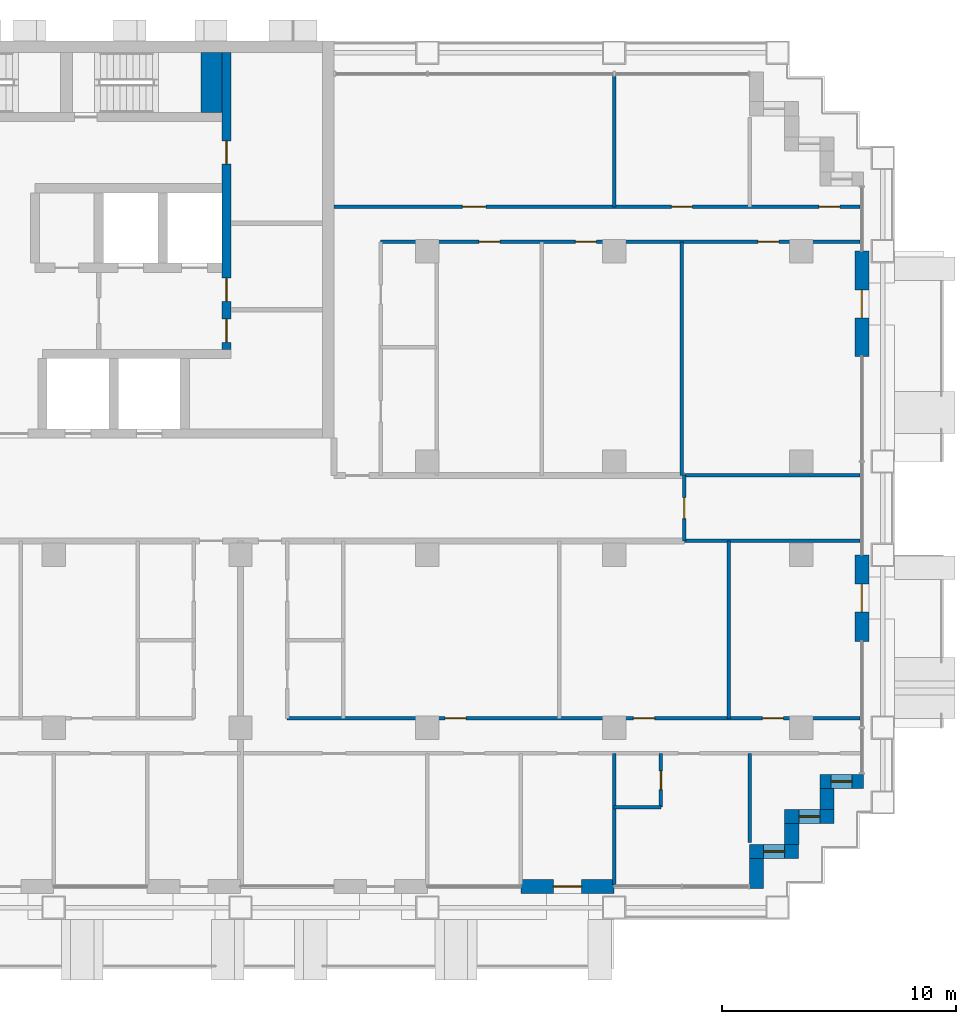
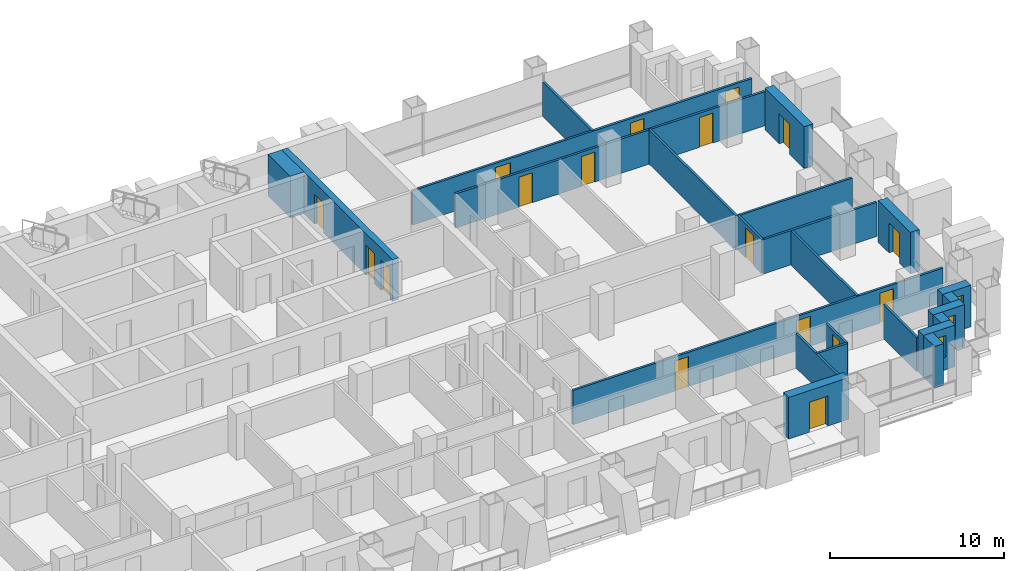
# One storey, part 13 of 18: 24 walls, 17 doors, 3 windows, 20 openings.
"""IFC4 building model written with IfcOpenShell, lengths in metres."""

from ifc_helpers import new_model, si_unit, direction, frame, frame_2d, origin, place, context, subcontext, project, spatial, rectangle, extrude, material, layer, layer_set, type_object, element, fill, save


model = new_model("IFC4")

# Units and contexts
model_context = context("Model", 3, precision=1e-05, world=origin(), true_north=direction((0.0, 1.0)))
body_context = subcontext(model_context, "Body", "Model", "MODEL_VIEW")
ifc_project = project(units=[si_unit("LENGTHUNIT", "METRE"), si_unit("AREAUNIT", "SQUARE_METRE"), si_unit("VOLUMEUNIT", "CUBIC_METRE"), si_unit("PLANEANGLEUNIT", "RADIAN"), si_unit("MASSUNIT", "GRAM", prefix="KILO")], contexts=[model_context])

# Site, building, storey
site_placement = place(None, origin())
site = spatial("IfcSite", under=ifc_project, at=site_placement, CompositionType="ELEMENT")
building_placement = place(site_placement, origin())
building = spatial("IfcBuilding", under=site, at=building_placement, Name="Vidyagriha Tower", CompositionType="ELEMENT")
storey_placement = place(building_placement, frame((0.0, 0.0, 54.39990234375)))
storey = spatial("IfcBuildingStorey", under=building, at=storey_placement, Name="L14", CompositionType="ELEMENT", Elevation=54.39990234375)

# Wall, opening, door
ifc_material_1 = material(Name="Precast concrete C40/50 with brick facing", Category="concrete")
ifc_layer_1 = layer(ifc_material_1, 0.60009765625)
ifc_layer_set_1 = layer_set([ifc_layer_1], Name="Precast concrete C40/50 with brick facing")
wall_type_1 = type_object("IfcWallType", Name="Brick-faced precast wall 600", PredefinedType="STANDARD", material=ifc_layer_set_1)
wall_1_placement = place(storey_placement, frame((22.0, -16.199951171875, 0.0)))
wall_1 = element("IfcWall", 1, at=wall_1_placement, inside=storey, type_object=wall_type_1, Name="Brick door bay wall L14 R23.15", PredefinedType="STANDARD", context=body_context, shape_type="SweptSolid", body=[
    extrude(rectangle(XDim=4.0, YDim=0.60009765625, at=frame_2d((2.0, 0.0))), origin(), (0.0, 0.0, 1.0), 2.920166015625),
])
opening_1_placement = place(wall_1_placement, frame((1.39990234375, 0.0, 0.0)))
opening_1 = element("IfcOpeningElement", 2, at=opening_1_placement, cuts=wall_1, Name="Opening D14-79", PredefinedType="OPENING", context=body_context, shape_type="SweptSolid", body=[
    extrude(rectangle(XDim=1.199951171875, YDim=2.10009765625, at=frame_2d((0.60009765625, 1.050048828125))), frame((0.0, 0.31005859375, 0.0), z_axis=(0.0, -1.0, 0.0), x_axis=(1.0, 0.0, 0.0)), (0.0, 0.0, 1.0), 0.6201171875),
])
ifc_material_2 = material(Name="Aluminium framed glazed sliding door", Category="aluminium")
door_type_1 = type_object("IfcDoorType", Name="Balcony sliding door 1200x2100", OperationType="NOTDEFINED", PredefinedType="DOOR", material=ifc_material_2)
door_1_placement = place(opening_1_placement, origin())
door_1 = element("IfcDoor", 3, at=door_1_placement, inside=storey, type_object=door_type_1, Name="Door D14-79", OperationType="SLIDING_TO_LEFT", OverallHeight=2.10009765625, OverallWidth=1.199951171875, PredefinedType="DOOR", context=body_context, shape_type="SweptSolid", body=[
    extrude(rectangle(XDim=1.199951171875, YDim=2.10009765625, at=frame_2d((0.60009765625, 1.050048828125))), frame((0.0, 0.02490234375, 0.0), z_axis=(0.0, -1.0, 0.0), x_axis=(1.0, 0.0, 0.0)), (0.0, 0.0, 1.0), 0.050048828125),
])
fill(opening_1, door_1)

# Wall
wall_2_placement = place(storey_placement, frame((32.10009765625, -16.280029296875, 0.0), z_axis=(0.0, 0.0, 1.0), x_axis=(0.0, 1.0, 0.0)))
element("IfcWall", 4, at=wall_2_placement, inside=storey, type_object=wall_type_1, Name="Stepped corner wall L14 R24", PredefinedType="STANDARD", context=body_context, shape_type="SweptSolid", body=[
    extrude(rectangle(XDim=1.280029296875, YDim=0.60009765625, at=frame_2d((0.64013671875, 0.0))), origin(), (0.0, 0.0, 1.0), 2.920166015625),
])

# Wall, opening, window
wall_3_placement = place(storey_placement, frame((31.800048828125, -14.699951171875, 0.0)))
wall_3 = element("IfcWall", 5, at=wall_3_placement, inside=storey, type_object=wall_type_1, Name="Stepped corner wall L14 R25", PredefinedType="STANDARD", context=body_context, shape_type="SweptSolid", body=[
    extrude(rectangle(XDim=2.099853515625, YDim=0.60009765625, at=frame_2d((1.0498046875, 0.0))), origin(), (0.0, 0.0, 1.0), 2.920166015625),
])
opening_2_placement = place(wall_3_placement, frame((0.60009765625, 0.0, 0.89990234375)))
opening_2 = element("IfcOpeningElement", 6, at=opening_2_placement, cuts=wall_3, Name="Opening WN1", PredefinedType="OPENING", context=body_context, shape_type="SweptSolid", body=[
    extrude(rectangle(XDim=0.89990234375, YDim=1.5, at=frame_2d((0.449951171875, 0.75))), frame((0.0, 0.31005859375, 0.0), z_axis=(0.0, -1.0, 0.0), x_axis=(1.0, 0.0, 0.0)), (0.0, 0.0, 1.0), 0.6201171875),
])
ifc_material_3 = material(Name="Aluminium and glass window", Category="aluminium")
window_type = type_object("IfcWindowType", Name="Reveal window 900x1500", PartitioningType="NOTDEFINED", PredefinedType="WINDOW", material=ifc_material_3)
window_1_placement = place(opening_2_placement, origin())
window_1 = element("IfcWindow", 7, at=window_1_placement, inside=storey, type_object=window_type, Name="Reveal window L14 R25", OverallHeight=1.5, OverallWidth=0.89990234375, PartitioningType="SINGLE_PANEL", PredefinedType="WINDOW", context=body_context, shape_type="SweptSolid", body=[
    extrude(rectangle(XDim=0.89990234375, YDim=1.5, at=frame_2d((0.449951171875, 0.75))), frame((0.0, 0.030029296875, 0.0), z_axis=(0.0, -1.0, 0.0), x_axis=(1.0, 0.0, 0.0)), (0.0, 0.0, 1.0), 0.06005859375),
])
fill(opening_2, window_1)

# Wall
wall_4_placement = place(storey_placement, frame((33.60009765625, -14.39990234375, 0.0), z_axis=(0.0, 0.0, 1.0), x_axis=(0.0, 1.0, 0.0)))
element("IfcWall", 8, at=wall_4_placement, inside=storey, type_object=wall_type_1, Name="Stepped corner wall L14 R26", PredefinedType="STANDARD", context=body_context, shape_type="SweptSolid", body=[
    extrude(rectangle(XDim=0.89990234375, YDim=0.60009765625, at=frame_2d((0.449951171875, 0.0))), origin(), (0.0, 0.0, 1.0), 2.920166015625),
])

# Wall, opening, window
wall_5_placement = place(storey_placement, frame((33.300048828125, -13.199951171875, 0.0)))
wall_5 = element("IfcWall", 9, at=wall_5_placement, inside=storey, type_object=wall_type_1, Name="Stepped corner wall L14 R27", PredefinedType="STANDARD", context=body_context, shape_type="SweptSolid", body=[
    extrude(rectangle(XDim=2.099853515625, YDim=0.60009765625, at=frame_2d((1.0498046875, 0.0))), origin(), (0.0, 0.0, 1.0), 2.920166015625),
])
opening_3_placement = place(wall_5_placement, frame((0.60009765625, 0.0, 0.89990234375)))
opening_3 = element("IfcOpeningElement", 10, at=opening_3_placement, cuts=wall_5, Name="Opening WN1", PredefinedType="OPENING", context=body_context, shape_type="SweptSolid", body=[
    extrude(rectangle(XDim=0.89990234375, YDim=1.5, at=frame_2d((0.449951171875, 0.75))), frame((0.0, 0.31005859375, 0.0), z_axis=(0.0, -1.0, 0.0), x_axis=(1.0, 0.0, 0.0)), (0.0, 0.0, 1.0), 0.6201171875),
])
window_2_placement = place(opening_3_placement, origin())
window_2 = element("IfcWindow", 11, at=window_2_placement, inside=storey, type_object=window_type, Name="Reveal window L14 R27", OverallHeight=1.5, OverallWidth=0.89990234375, PartitioningType="SINGLE_PANEL", PredefinedType="WINDOW", context=body_context, shape_type="SweptSolid", body=[
    extrude(rectangle(XDim=0.89990234375, YDim=1.5, at=frame_2d((0.449951171875, 0.75))), frame((0.0, 0.030029296875, 0.0), z_axis=(0.0, -1.0, 0.0), x_axis=(1.0, 0.0, 0.0)), (0.0, 0.0, 1.0), 0.06005859375),
])
fill(opening_3, window_2)

# Wall
wall_6_placement = place(storey_placement, frame((35.10009765625, -12.89990234375, 0.0), z_axis=(0.0, 0.0, 1.0), x_axis=(0.0, 1.0, 0.0)))
element("IfcWall", 12, at=wall_6_placement, inside=storey, type_object=wall_type_1, Name="Stepped corner wall L14 R28", PredefinedType="STANDARD", context=body_context, shape_type="SweptSolid", body=[
    extrude(rectangle(XDim=0.89990234375, YDim=0.60009765625, at=frame_2d((0.449951171875, 0.0))), origin(), (0.0, 0.0, 1.0), 2.920166015625),
])

# Wall, opening, window
wall_7_placement = place(storey_placement, frame((34.800048828125, -11.699951171875, 0.0)))
wall_7 = element("IfcWall", 13, at=wall_7_placement, inside=storey, type_object=wall_type_1, Name="Stepped corner wall L14 R29", PredefinedType="STANDARD", context=body_context, shape_type="SweptSolid", body=[
    extrude(rectangle(XDim=1.8798828125, YDim=0.60009765625, at=frame_2d((0.93994140625, 0.0))), origin(), (0.0, 0.0, 1.0), 2.920166015625),
])
opening_4_placement = place(wall_7_placement, frame((0.489990234375, 0.0, 0.89990234375)))
opening_4 = element("IfcOpeningElement", 14, at=opening_4_placement, cuts=wall_7, Name="Opening WN1", PredefinedType="OPENING", context=body_context, shape_type="SweptSolid", body=[
    extrude(rectangle(XDim=0.89990234375, YDim=1.5, at=frame_2d((0.449951171875, 0.75))), frame((0.0, 0.31005859375, 0.0), z_axis=(0.0, -1.0, 0.0), x_axis=(1.0, 0.0, 0.0)), (0.0, 0.0, 1.0), 0.6201171875),
])
window_3_placement = place(opening_4_placement, origin())
window_3 = element("IfcWindow", 15, at=window_3_placement, inside=storey, type_object=window_type, Name="Reveal window L14 R29", OverallHeight=1.5, OverallWidth=0.89990234375, PartitioningType="SINGLE_PANEL", PredefinedType="WINDOW", context=body_context, shape_type="SweptSolid", body=[
    extrude(rectangle(XDim=0.89990234375, YDim=1.5, at=frame_2d((0.449951171875, 0.75))), frame((0.0, 0.030029296875, 0.0), z_axis=(0.0, -1.0, 0.0), x_axis=(1.0, 0.0, 0.0)), (0.0, 0.0, 1.0), 0.06005859375),
])
fill(opening_4, window_3)

# Wall, opening, door
wall_8_placement = place(storey_placement, frame((36.60009765625, -5.699951171875, 0.0), z_axis=(0.0, 0.0, 1.0), x_axis=(0.0, 1.0, 0.0)))
wall_8 = element("IfcWall", 16, at=wall_8_placement, inside=storey, type_object=wall_type_1, Name="Brick door bay wall L14 R30.3", PredefinedType="STANDARD", context=body_context, shape_type="SweptSolid", body=[
    extrude(rectangle(XDim=3.699951171875, YDim=0.60009765625, at=frame_2d((1.85009765625, 0.0))), origin(), (0.0, 0.0, 1.0), 2.920166015625),
])
opening_5_placement = place(wall_8_placement, frame((1.25, 0.0, 0.0)))
opening_5 = element("IfcOpeningElement", 17, at=opening_5_placement, cuts=wall_8, Name="Opening D14-80", PredefinedType="OPENING", context=body_context, shape_type="SweptSolid", body=[
    extrude(rectangle(XDim=1.199951171875, YDim=2.10009765625, at=frame_2d((0.60009765625, 1.050048828125))), frame((0.0, 0.31005859375, 0.0), z_axis=(0.0, -1.0, 0.0), x_axis=(1.0, 0.0, 0.0)), (0.0, 0.0, 1.0), 0.6201171875),
])
door_2_placement = place(opening_5_placement, origin())
door_2 = element("IfcDoor", 18, at=door_2_placement, inside=storey, type_object=door_type_1, Name="Door D14-80", OperationType="SLIDING_TO_LEFT", OverallHeight=2.10009765625, OverallWidth=1.199951171875, PredefinedType="DOOR", context=body_context, shape_type="SweptSolid", body=[
    extrude(rectangle(XDim=1.199951171875, YDim=2.10009765625, at=frame_2d((0.60009765625, 1.050048828125))), frame((0.0, 0.02490234375, 0.0), z_axis=(0.0, -1.0, 0.0), x_axis=(1.0, 0.0, 0.0)), (0.0, 0.0, 1.0), 0.050048828125),
])
fill(opening_5, door_2)

wall_9_placement = place(storey_placement, frame((36.60009765625, 6.5, 0.0), z_axis=(0.0, 0.0, 1.0), x_axis=(0.0, 1.0, 0.0)))
wall_9 = element("IfcWall", 19, at=wall_9_placement, inside=storey, type_object=wall_type_1, Name="Brick door bay wall L14 R30.6", PredefinedType="STANDARD", context=body_context, shape_type="SweptSolid", body=[
    extrude(rectangle(XDim=4.5, YDim=0.60009765625, at=frame_2d((2.25, 0.0))), origin(), (0.0, 0.0, 1.0), 2.920166015625),
])
opening_6_placement = place(wall_9_placement, frame((1.64990234375, 0.0, 0.0)))
opening_6 = element("IfcOpeningElement", 20, at=opening_6_placement, cuts=wall_9, Name="Opening D14-81", PredefinedType="OPENING", context=body_context, shape_type="SweptSolid", body=[
    extrude(rectangle(XDim=1.199951171875, YDim=2.10009765625, at=frame_2d((0.60009765625, 1.050048828125))), frame((0.0, 0.31005859375, 0.0), z_axis=(0.0, -1.0, 0.0), x_axis=(1.0, 0.0, 0.0)), (0.0, 0.0, 1.0), 0.6201171875),
])
door_3_placement = place(opening_6_placement, origin())
door_3 = element("IfcDoor", 21, at=door_3_placement, inside=storey, type_object=door_type_1, Name="Door D14-81", OperationType="SLIDING_TO_LEFT", OverallHeight=2.10009765625, OverallWidth=1.199951171875, PredefinedType="DOOR", context=body_context, shape_type="SweptSolid", body=[
    extrude(rectangle(XDim=1.199951171875, YDim=2.10009765625, at=frame_2d((0.60009765625, 1.050048828125))), frame((0.0, 0.02490234375, 0.0), z_axis=(0.0, -1.0, 0.0), x_axis=(1.0, 0.0, 0.0)), (0.0, 0.0, 1.0), 0.050048828125),
])
fill(opening_6, door_3)

# Wall, openings, doors
ifc_material_4 = material(Name="Concrete C60/75", Category="concrete")
ifc_layer_2 = layer(ifc_material_4, 0.39990234375)
ifc_layer_set_2 = layer_set([ifc_layer_2], Name="Concrete C60/75")
wall_type_2 = type_object("IfcWallType", Name="Core shear wall 400 mm", PredefinedType="SHEAR", material=ifc_layer_set_2)
wall_10_placement = place(storey_placement, frame((9.39990234375, 6.800048828125, 0.0), z_axis=(0.0, 0.0, 1.0), x_axis=(0.0, 1.0, 0.0)))
wall_10 = element("IfcWall", 22, at=wall_10_placement, inside=storey, type_object=wall_type_2, Name="Core east spine wall", PredefinedType="SHEAR", context=body_context, shape_type="SweptSolid", body=[
    extrude(rectangle(XDim=12.699951171875, YDim=0.39990234375, at=frame_2d((6.35009765625, 0.0))), origin(), (0.0, 0.0, 1.0), 2.920166015625),
])
opening_7_placement = place(wall_10_placement, frame((0.300048828125, 0.0, 0.0)))
opening_7 = element("IfcOpeningElement", 23, at=opening_7_placement, cuts=wall_10, Name="Opening D14-11", PredefinedType="OPENING", context=body_context, shape_type="SweptSolid", body=[
    extrude(rectangle(XDim=1.0, YDim=2.10009765625, at=frame_2d((0.5, 1.050048828125))), frame((0.0, 0.2099609375, 0.0), z_axis=(0.0, -1.0, 0.0), x_axis=(1.0, 0.0, 0.0)), (0.0, 0.0, 1.0), 0.419921875),
])
opening_8_placement = place(wall_10_placement, frame((2.050048828125, 0.0, 0.0)))
opening_8 = element("IfcOpeningElement", 24, at=opening_8_placement, cuts=wall_10, Name="Opening D14-12", PredefinedType="OPENING", context=body_context, shape_type="SweptSolid", body=[
    extrude(rectangle(XDim=1.0, YDim=2.10009765625, at=frame_2d((0.5, 1.050048828125))), frame((0.0, 0.2099609375, 0.0), z_axis=(0.0, -1.0, 0.0), x_axis=(1.0, 0.0, 0.0)), (0.0, 0.0, 1.0), 0.419921875),
])
opening_9_placement = place(wall_10_placement, frame((7.925048828125, 0.0, 0.0)))
opening_9 = element("IfcOpeningElement", 25, at=opening_9_placement, cuts=wall_10, Name="Opening D14-13", PredefinedType="OPENING", context=body_context, shape_type="SweptSolid", body=[
    extrude(rectangle(XDim=1.0, YDim=2.10009765625, at=frame_2d((0.5, 1.050048828125))), frame((0.0, 0.2099609375, 0.0), z_axis=(0.0, -1.0, 0.0), x_axis=(1.0, 0.0, 0.0)), (0.0, 0.0, 1.0), 0.419921875),
])
ifc_material_5 = material(Name="Hollow metal door leaf")
door_type_2 = type_object("IfcDoorType", Name="Core room door 1000 x 2100 mm EI 60", OperationType="NOTDEFINED", PredefinedType="DOOR", material=ifc_material_5)
door_4_placement = place(opening_7_placement, origin())
door_4 = element("IfcDoor", 26, at=door_4_placement, inside=storey, type_object=door_type_2, Name="Door Electrical Room 14.E1", OperationType="SINGLE_SWING_RIGHT", OverallHeight=2.10009765625, OverallWidth=1.0, PredefinedType="DOOR", context=body_context, shape_type="SweptSolid", body=[
    extrude(rectangle(XDim=1.0, YDim=2.10009765625, at=frame_2d((0.5, 1.050048828125))), frame((0.0, 0.02490234375, 0.0), z_axis=(0.0, -1.0, 0.0), x_axis=(1.0, 0.0, 0.0)), (0.0, 0.0, 1.0), 0.050048828125),
])
fill(opening_7, door_4)
door_5_placement = place(opening_8_placement, origin())
door_5 = element("IfcDoor", 27, at=door_5_placement, inside=storey, type_object=door_type_2, Name="Door Refuse Room 14.E2", OperationType="SINGLE_SWING_LEFT", OverallHeight=2.10009765625, OverallWidth=1.0, PredefinedType="DOOR", context=body_context, shape_type="SweptSolid", body=[
    extrude(rectangle(XDim=1.0, YDim=2.10009765625, at=frame_2d((0.5, 1.050048828125))), frame((0.0, 0.02490234375, 0.0), z_axis=(0.0, -1.0, 0.0), x_axis=(1.0, 0.0, 0.0)), (0.0, 0.0, 1.0), 0.050048828125),
])
fill(opening_8, door_5)
door_6_placement = place(opening_9_placement, origin())
door_6 = element("IfcDoor", 28, at=door_6_placement, inside=storey, type_object=door_type_2, Name="Door Mechanical Riser Room 14.E3", OperationType="SINGLE_SWING_LEFT", OverallHeight=2.10009765625, OverallWidth=1.0, PredefinedType="DOOR", context=body_context, shape_type="SweptSolid", body=[
    extrude(rectangle(XDim=1.0, YDim=2.10009765625, at=frame_2d((0.5, 1.050048828125))), frame((0.0, 0.02490234375, 0.0), z_axis=(0.0, -1.0, 0.0), x_axis=(1.0, 0.0, 0.0)), (0.0, 0.0, 1.0), 0.050048828125),
])
fill(opening_9, door_6)

# Walls
ifc_material_6 = material(Name="Concrete C60/75", Category="concrete")
ifc_layer_3 = layer(ifc_material_6, 0.89990234375)
ifc_layer_set_3 = layer_set([ifc_layer_3], Name="Concrete C60/75")
wall_type_3 = type_object("IfcWallType", Name="Core shear wall 900 mm", PredefinedType="SHEAR", material=ifc_layer_set_3)
wall_11_placement = place(storey_placement, frame((8.75, 16.949951171875, 0.0), z_axis=(0.0, 0.0, 1.0), x_axis=(0.0, 1.0, 0.0)))
element("IfcWall", 29, at=wall_11_placement, inside=storey, type_object=wall_type_3, Name="Stair end wall", PredefinedType="SHEAR", context=body_context, shape_type="SweptSolid", body=[
    extrude(rectangle(XDim=2.550048828125, YDim=0.89990234375, at=frame_2d((1.27490234375, 0.0))), origin(), (0.0, 0.0, 1.0), 2.920166015625),
])
ifc_material_7 = material(Name="Gypsum board partition")
ifc_layer_4 = layer(ifc_material_7, 0.14990234375)
ifc_layer_set_4 = layer_set([ifc_layer_4], Name="Gypsum board partition")
wall_type_4 = type_object("IfcWallType", Name="Gypsum board partition 150", PredefinedType="PARTITIONING", material=ifc_layer_set_4)
wall_12_placement = place(storey_placement, frame((30.89990234375, -1.39990234375, 0.0), z_axis=(0.0, 0.0, 1.0), x_axis=(0.0, -1.0, 0.0)))
element("IfcWall", 30, at=wall_12_placement, inside=storey, type_object=wall_type_4, Name="Wall all-L14-w053", PredefinedType="PARTITIONING", context=body_context, shape_type="SweptSolid", body=[
    extrude(rectangle(XDim=7.60009765625, YDim=0.14990234375, at=frame_2d((3.800048828125, 0.0))), origin(), (0.0, 0.0, 1.0), 2.400146484375),
])

# Wall, openings, doors
wall_13_placement = place(storey_placement, frame((12.0, -9.0, 0.0)))
wall_13 = element("IfcWall", 31, at=wall_13_placement, inside=storey, type_object=wall_type_4, Name="Wall all-L14-w054", PredefinedType="PARTITIONING", context=body_context, shape_type="SweptSolid", body=[
    extrude(rectangle(XDim=24.52001953125, YDim=0.14990234375, at=frame_2d((12.260009765625, 0.0))), origin(), (0.0, 0.0, 1.0), 2.400146484375),
])
opening_10_placement = place(wall_13_placement, frame((6.760009765625, 0.0, 0.0)))
opening_10 = element("IfcOpeningElement", 32, at=opening_10_placement, cuts=wall_13, Name="Opening D14-38", PredefinedType="OPENING", context=body_context, shape_type="SweptSolid", body=[
    extrude(rectangle(XDim=0.89990234375, YDim=2.10009765625, at=frame_2d((0.449951171875, 1.050048828125))), frame((0.0, 0.0849609375, 0.0), z_axis=(0.0, -1.0, 0.0), x_axis=(1.0, 0.0, 0.0)), (0.0, 0.0, 1.0), 0.169921875),
])
opening_11_placement = place(wall_13_placement, frame((14.824951171875, 0.0, 0.0)))
opening_11 = element("IfcOpeningElement", 33, at=opening_11_placement, cuts=wall_13, Name="Opening D14-39", PredefinedType="OPENING", context=body_context, shape_type="SweptSolid", body=[
    extrude(rectangle(XDim=0.89990234375, YDim=2.10009765625, at=frame_2d((0.449951171875, 1.050048828125))), frame((0.0, 0.0849609375, 0.0), z_axis=(0.0, -1.0, 0.0), x_axis=(1.0, 0.0, 0.0)), (0.0, 0.0, 1.0), 0.169921875),
])
opening_12_placement = place(wall_13_placement, frame((20.340087890625, 0.0, 0.0)))
opening_12 = element("IfcOpeningElement", 34, at=opening_12_placement, cuts=wall_13, Name="Opening D14-40", PredefinedType="OPENING", context=body_context, shape_type="SweptSolid", body=[
    extrude(rectangle(XDim=0.89990234375, YDim=2.10009765625, at=frame_2d((0.449951171875, 1.050048828125))), frame((0.0, 0.0849609375, 0.0), z_axis=(0.0, -1.0, 0.0), x_axis=(1.0, 0.0, 0.0)), (0.0, 0.0, 1.0), 0.169921875),
])
ifc_material_8 = material(Name="Timber door leaf", Category="wood")
door_type_3 = type_object("IfcDoorType", Name="Room door 900x2100", OperationType="NOTDEFINED", PredefinedType="DOOR", material=ifc_material_8)
door_7_placement = place(opening_10_placement, origin())
door_7 = element("IfcDoor", 35, at=door_7_placement, inside=storey, type_object=door_type_3, Name="Door D14-38", OperationType="SINGLE_SWING_RIGHT", OverallHeight=2.10009765625, OverallWidth=0.89990234375, PredefinedType="DOOR", context=body_context, shape_type="SweptSolid", body=[
    extrude(rectangle(XDim=0.89990234375, YDim=2.10009765625, at=frame_2d((0.449951171875, 1.050048828125))), frame((0.0, 0.02490234375, 0.0), z_axis=(0.0, -1.0, 0.0), x_axis=(1.0, 0.0, 0.0)), (0.0, 0.0, 1.0), 0.050048828125),
])
fill(opening_10, door_7)
door_8_placement = place(opening_11_placement, origin())
door_8 = element("IfcDoor", 36, at=door_8_placement, inside=storey, type_object=door_type_3, Name="Door D14-39", OperationType="SINGLE_SWING_RIGHT", OverallHeight=2.10009765625, OverallWidth=0.89990234375, PredefinedType="DOOR", context=body_context, shape_type="SweptSolid", body=[
    extrude(rectangle(XDim=0.89990234375, YDim=2.10009765625, at=frame_2d((0.449951171875, 1.050048828125))), frame((0.0, 0.02490234375, 0.0), z_axis=(0.0, -1.0, 0.0), x_axis=(1.0, 0.0, 0.0)), (0.0, 0.0, 1.0), 0.050048828125),
])
fill(opening_11, door_8)
door_9_placement = place(opening_12_placement, origin())
door_9 = element("IfcDoor", 37, at=door_9_placement, inside=storey, type_object=door_type_3, Name="Door D14-40", OperationType="SINGLE_SWING_LEFT", OverallHeight=2.10009765625, OverallWidth=0.89990234375, PredefinedType="DOOR", context=body_context, shape_type="SweptSolid", body=[
    extrude(rectangle(XDim=0.89990234375, YDim=2.10009765625, at=frame_2d((0.449951171875, 1.050048828125))), frame((0.0, 0.02490234375, 0.0), z_axis=(0.0, -1.0, 0.0), x_axis=(1.0, 0.0, 0.0)), (0.0, 0.0, 1.0), 0.050048828125),
])
fill(opening_12, door_9)

# Walls
wall_14_placement = place(storey_placement, frame((26.0, -10.5, 0.0), z_axis=(0.0, 0.0, 1.0), x_axis=(0.0, -1.0, 0.0)))
element("IfcWall", 38, at=wall_14_placement, inside=storey, type_object=wall_type_4, Name="Wall all-L14-w066", PredefinedType="PARTITIONING", context=body_context, shape_type="SweptSolid", body=[
    extrude(rectangle(XDim=5.610107421875, YDim=0.14990234375, at=frame_2d((2.80517578125, 0.0))), origin(), (0.0, 0.0, 1.0), 2.400146484375),
])
wall_15_placement = place(storey_placement, frame((31.800048828125, -10.5, 0.0), z_axis=(0.0, 0.0, 1.0), x_axis=(0.0, -1.0, 0.0)))
element("IfcWall", 39, at=wall_15_placement, inside=storey, type_object=wall_type_4, Name="Wall all-L14-w067", PredefinedType="PARTITIONING", context=body_context, shape_type="SweptSolid", body=[
    extrude(rectangle(XDim=3.820068359375, YDim=0.14990234375, at=frame_2d((1.91015625, 0.0))), origin(), (0.0, 0.0, 1.0), 2.400146484375),
])

# Wall, opening, door
wall_16_placement = place(storey_placement, frame((28.0, -10.5, 0.0), z_axis=(0.0, 0.0, 1.0), x_axis=(0.0, -1.0, 0.0)))
wall_16 = element("IfcWall", 40, at=wall_16_placement, inside=storey, type_object=wall_type_4, Name="Wall all-L14-w068", PredefinedType="PARTITIONING", context=body_context, shape_type="SweptSolid", body=[
    extrude(rectangle(XDim=2.300048828125, YDim=0.14990234375, at=frame_2d((1.14990234375, 0.0))), origin(), (0.0, 0.0, 1.0), 2.400146484375),
])
opening_13_placement = place(wall_16_placement, frame((0.75, 0.0, 0.0)))
opening_13 = element("IfcOpeningElement", 41, at=opening_13_placement, cuts=wall_16, Name="Opening D14-46", PredefinedType="OPENING", context=body_context, shape_type="SweptSolid", body=[
    extrude(rectangle(XDim=0.800048828125, YDim=2.10009765625, at=frame_2d((0.39990234375, 1.050048828125))), frame((0.0, 0.0849609375, 0.0), z_axis=(0.0, -1.0, 0.0), x_axis=(1.0, 0.0, 0.0)), (0.0, 0.0, 1.0), 0.169921875),
])
ifc_material_9 = material(Name="Timber door leaf", Category="wood")
door_type_4 = type_object("IfcDoorType", Name="Bathroom door 800x2100", OperationType="NOTDEFINED", PredefinedType="DOOR", material=ifc_material_9)
door_10_placement = place(opening_13_placement, origin())
door_10 = element("IfcDoor", 42, at=door_10_placement, inside=storey, type_object=door_type_4, Name="Door D14-46", OperationType="SINGLE_SWING_LEFT", OverallHeight=2.10009765625, OverallWidth=0.800048828125, PredefinedType="DOOR", context=body_context, shape_type="SweptSolid", body=[
    extrude(rectangle(XDim=0.800048828125, YDim=2.10009765625, at=frame_2d((0.39990234375, 1.050048828125))), frame((0.0, 0.02490234375, 0.0), z_axis=(0.0, -1.0, 0.0), x_axis=(1.0, 0.0, 0.0)), (0.0, 0.0, 1.0), 0.050048828125),
])
fill(opening_13, door_10)

# Walls
wall_17_placement = place(storey_placement, frame((28.0, -12.800048828125, 0.0), z_axis=(0.0, 0.0, 1.0), x_axis=(-1.0, 0.0, 0.0)))
element("IfcWall", 43, at=wall_17_placement, inside=storey, type_object=wall_type_4, Name="Wall all-L14-w069", PredefinedType="PARTITIONING", context=body_context, shape_type="SweptSolid", body=[
    extrude(rectangle(XDim=2.0, YDim=0.14990234375, at=frame_2d((1.0, 0.0))), origin(), (0.0, 0.0, 1.0), 2.400146484375),
])
wall_18_placement = place(storey_placement, frame((36.52001953125, -1.39990234375, 0.0), z_axis=(0.0, 0.0, 1.0), x_axis=(-1.0, 0.0, 0.0)))
element("IfcWall", 44, at=wall_18_placement, inside=storey, type_object=wall_type_4, Name="Wall all-L14-w076", PredefinedType="PARTITIONING", context=body_context, shape_type="SweptSolid", body=[
    extrude(rectangle(XDim=7.52001953125, YDim=0.14990234375, at=frame_2d((3.760009765625, 0.0))), origin(), (0.0, 0.0, 1.0), 2.400146484375),
])
wall_19_placement = place(storey_placement, frame((28.89990234375, 11.39990234375, 0.0), z_axis=(0.0, 0.0, 1.0), x_axis=(0.0, -1.0, 0.0)))
element("IfcWall", 45, at=wall_19_placement, inside=storey, type_object=wall_type_4, Name="Wall all-L14-w110", PredefinedType="PARTITIONING", context=body_context, shape_type="SweptSolid", body=[
    extrude(rectangle(XDim=10.0, YDim=0.14990234375, at=frame_2d((5.0, 0.0))), origin(), (0.0, 0.0, 1.0), 2.400146484375),
])

# Wall, openings, doors
wall_20_placement = place(storey_placement, frame((36.52001953125, 11.39990234375, 0.0), z_axis=(0.0, 0.0, 1.0), x_axis=(-1.0, 0.0, 0.0)))
wall_20 = element("IfcWall", 46, at=wall_20_placement, inside=storey, type_object=wall_type_4, Name="Wall all-L14-w111", PredefinedType="PARTITIONING", context=body_context, shape_type="SweptSolid", body=[
    extrude(rectangle(XDim=20.52001953125, YDim=0.14990234375, at=frame_2d((10.260009765625, 0.0))), origin(), (0.0, 0.0, 1.0), 2.400146484375),
])
opening_14_placement = place(wall_20_placement, frame((15.419921875, 0.0, 0.0)))
opening_14 = element("IfcOpeningElement", 47, at=opening_14_placement, cuts=wall_20, Name="Opening D14-62", PredefinedType="OPENING", context=body_context, shape_type="SweptSolid", body=[
    extrude(rectangle(XDim=0.89990234375, YDim=2.10009765625, at=frame_2d((0.449951171875, 1.050048828125))), frame((0.0, 0.0849609375, 0.0), z_axis=(0.0, -1.0, 0.0), x_axis=(1.0, 0.0, 0.0)), (0.0, 0.0, 1.0), 0.169921875),
])
opening_15_placement = place(wall_20_placement, frame((11.280029296875, 0.0, 0.0)))
opening_15 = element("IfcOpeningElement", 48, at=opening_15_placement, cuts=wall_20, Name="Opening D14-63", PredefinedType="OPENING", context=body_context, shape_type="SweptSolid", body=[
    extrude(rectangle(XDim=0.89990234375, YDim=2.10009765625, at=frame_2d((0.449951171875, 1.050048828125))), frame((0.0, 0.0849609375, 0.0), z_axis=(0.0, -1.0, 0.0), x_axis=(1.0, 0.0, 0.0)), (0.0, 0.0, 1.0), 0.169921875),
])
opening_16_placement = place(wall_20_placement, frame((3.469970703125, 0.0, 0.0)))
opening_16 = element("IfcOpeningElement", 49, at=opening_16_placement, cuts=wall_20, Name="Opening D14-64", PredefinedType="OPENING", context=body_context, shape_type="SweptSolid", body=[
    extrude(rectangle(XDim=0.89990234375, YDim=2.10009765625, at=frame_2d((0.449951171875, 1.050048828125))), frame((0.0, 0.0849609375, 0.0), z_axis=(0.0, -1.0, 0.0), x_axis=(1.0, 0.0, 0.0)), (0.0, 0.0, 1.0), 0.169921875),
])
door_11_placement = place(opening_14_placement, origin())
door_11 = element("IfcDoor", 50, at=door_11_placement, inside=storey, type_object=door_type_3, Name="Door D14-62", OperationType="SINGLE_SWING_RIGHT", OverallHeight=2.10009765625, OverallWidth=0.89990234375, PredefinedType="DOOR", context=body_context, shape_type="SweptSolid", body=[
    extrude(rectangle(XDim=0.89990234375, YDim=2.10009765625, at=frame_2d((0.449951171875, 1.050048828125))), frame((0.0, 0.02490234375, 0.0), z_axis=(0.0, -1.0, 0.0), x_axis=(1.0, 0.0, 0.0)), (0.0, 0.0, 1.0), 0.050048828125),
])
fill(opening_14, door_11)
door_12_placement = place(opening_15_placement, origin())
door_12 = element("IfcDoor", 51, at=door_12_placement, inside=storey, type_object=door_type_3, Name="Door D14-63", OperationType="SINGLE_SWING_RIGHT", OverallHeight=2.10009765625, OverallWidth=0.89990234375, PredefinedType="DOOR", context=body_context, shape_type="SweptSolid", body=[
    extrude(rectangle(XDim=0.89990234375, YDim=2.10009765625, at=frame_2d((0.449951171875, 1.050048828125))), frame((0.0, 0.02490234375, 0.0), z_axis=(0.0, -1.0, 0.0), x_axis=(1.0, 0.0, 0.0)), (0.0, 0.0, 1.0), 0.050048828125),
])
fill(opening_15, door_12)
door_13_placement = place(opening_16_placement, origin())
door_13 = element("IfcDoor", 52, at=door_13_placement, inside=storey, type_object=door_type_3, Name="Door D14-64", OperationType="SINGLE_SWING_LEFT", OverallHeight=2.10009765625, OverallWidth=0.89990234375, PredefinedType="DOOR", context=body_context, shape_type="SweptSolid", body=[
    extrude(rectangle(XDim=0.89990234375, YDim=2.10009765625, at=frame_2d((0.449951171875, 1.050048828125))), frame((0.0, 0.02490234375, 0.0), z_axis=(0.0, -1.0, 0.0), x_axis=(1.0, 0.0, 0.0)), (0.0, 0.0, 1.0), 0.050048828125),
])
fill(opening_16, door_13)

wall_21_placement = place(storey_placement, frame((14.0, 12.89990234375, 0.0)))
wall_21 = element("IfcWall", 53, at=wall_21_placement, inside=storey, type_object=wall_type_4, Name="Wall all-L14-w115", PredefinedType="PARTITIONING", context=body_context, shape_type="SweptSolid", body=[
    extrude(rectangle(XDim=22.52001953125, YDim=0.14990234375, at=frame_2d((11.260009765625, 0.0))), origin(), (0.0, 0.0, 1.0), 2.400146484375),
])
opening_17_placement = place(wall_21_placement, frame((5.5, 0.0, 0.0)))
opening_17 = element("IfcOpeningElement", 54, at=opening_17_placement, cuts=wall_21, Name="Opening D14-65", PredefinedType="OPENING", context=body_context, shape_type="SweptSolid", body=[
    extrude(rectangle(XDim=1.0, YDim=2.10009765625, at=frame_2d((0.5, 1.050048828125))), frame((0.0, 0.0849609375, 0.0), z_axis=(0.0, -1.0, 0.0), x_axis=(1.0, 0.0, 0.0)), (0.0, 0.0, 1.0), 0.169921875),
])
opening_18_placement = place(wall_21_placement, frame((14.449951171875, 0.0, 0.0)))
opening_18 = element("IfcOpeningElement", 55, at=opening_18_placement, cuts=wall_21, Name="Opening D14-66", PredefinedType="OPENING", context=body_context, shape_type="SweptSolid", body=[
    extrude(rectangle(XDim=0.89990234375, YDim=2.10009765625, at=frame_2d((0.449951171875, 1.050048828125))), frame((0.0, 0.0849609375, 0.0), z_axis=(0.0, -1.0, 0.0), x_axis=(1.0, 0.0, 0.0)), (0.0, 0.0, 1.0), 0.169921875),
])
opening_19_placement = place(wall_21_placement, frame((20.760009765625, 0.0, 0.0)))
opening_19 = element("IfcOpeningElement", 56, at=opening_19_placement, cuts=wall_21, Name="Opening D14-67", PredefinedType="OPENING", context=body_context, shape_type="SweptSolid", body=[
    extrude(rectangle(XDim=0.89990234375, YDim=2.10009765625, at=frame_2d((0.449951171875, 1.050048828125))), frame((0.0, 0.0849609375, 0.0), z_axis=(0.0, -1.0, 0.0), x_axis=(1.0, 0.0, 0.0)), (0.0, 0.0, 1.0), 0.169921875),
])
ifc_material_10 = material(Name="Timber door leaf", Category="wood")
door_type_5 = type_object("IfcDoorType", Name="Room door 1000x2100", OperationType="NOTDEFINED", PredefinedType="DOOR", material=ifc_material_10)
door_14_placement = place(opening_17_placement, origin())
door_14 = element("IfcDoor", 57, at=door_14_placement, inside=storey, type_object=door_type_5, Name="Door D14-65", OperationType="SINGLE_SWING_RIGHT", OverallHeight=2.10009765625, OverallWidth=1.0, PredefinedType="DOOR", context=body_context, shape_type="SweptSolid", body=[
    extrude(rectangle(XDim=1.0, YDim=2.10009765625, at=frame_2d((0.5, 1.050048828125))), frame((0.0, 0.02490234375, 0.0), z_axis=(0.0, -1.0, 0.0), x_axis=(1.0, 0.0, 0.0)), (0.0, 0.0, 1.0), 0.050048828125),
])
fill(opening_17, door_14)
door_15_placement = place(opening_18_placement, origin())
door_15 = element("IfcDoor", 58, at=door_15_placement, inside=storey, type_object=door_type_3, Name="Door D14-66", OperationType="SINGLE_SWING_LEFT", OverallHeight=2.10009765625, OverallWidth=0.89990234375, PredefinedType="DOOR", context=body_context, shape_type="SweptSolid", body=[
    extrude(rectangle(XDim=0.89990234375, YDim=2.10009765625, at=frame_2d((0.449951171875, 1.050048828125))), frame((0.0, 0.02490234375, 0.0), z_axis=(0.0, -1.0, 0.0), x_axis=(1.0, 0.0, 0.0)), (0.0, 0.0, 1.0), 0.050048828125),
])
fill(opening_18, door_15)
door_16_placement = place(opening_19_placement, origin())
door_16 = element("IfcDoor", 59, at=door_16_placement, inside=storey, type_object=door_type_3, Name="Door D14-67", OperationType="SINGLE_SWING_RIGHT", OverallHeight=2.10009765625, OverallWidth=0.89990234375, PredefinedType="DOOR", context=body_context, shape_type="SweptSolid", body=[
    extrude(rectangle(XDim=0.89990234375, YDim=2.10009765625, at=frame_2d((0.449951171875, 1.050048828125))), frame((0.0, 0.02490234375, 0.0), z_axis=(0.0, -1.0, 0.0), x_axis=(1.0, 0.0, 0.0)), (0.0, 0.0, 1.0), 0.050048828125),
])
fill(opening_19, door_16)

# Walls
wall_22_placement = place(storey_placement, frame((26.0, 18.52099609375, 0.0), z_axis=(0.0, 0.0, 1.0), x_axis=(0.0, -1.0, 0.0)))
element("IfcWall", 60, at=wall_22_placement, inside=storey, type_object=wall_type_4, Name="Wall all-L14-w119", PredefinedType="PARTITIONING", context=body_context, shape_type="SweptSolid", body=[
    extrude(rectangle(XDim=5.62109375, YDim=0.14990234375, at=frame_2d((2.810546875, 0.0))), origin(), (0.0, 0.0, 1.0), 2.400146484375),
])
wall_23_placement = place(storey_placement, frame((29.0, 1.39990234375, 0.0)))
element("IfcWall", 61, at=wall_23_placement, inside=storey, type_object=wall_type_4, Name="Wall all-L14-w123", PredefinedType="PARTITIONING", context=body_context, shape_type="SweptSolid", body=[
    extrude(rectangle(XDim=7.52001953125, YDim=0.14990234375, at=frame_2d((3.760009765625, 0.0))), origin(), (0.0, 0.0, 1.0), 2.400146484375),
])

# Wall, opening, door
wall_24_placement = place(storey_placement, frame((29.0, -1.39990234375, 0.0), z_axis=(0.0, 0.0, 1.0), x_axis=(0.0, 1.0, 0.0)))
wall_24 = element("IfcWall", 62, at=wall_24_placement, inside=storey, type_object=wall_type_4, Name="Wall all-L14-w126", PredefinedType="PARTITIONING", context=body_context, shape_type="SweptSolid", body=[
    extrude(rectangle(XDim=2.7998046875, YDim=0.14990234375, at=frame_2d((1.39990234375, 0.0))), origin(), (0.0, 0.0, 1.0), 2.400146484375),
])
opening_20_placement = place(wall_24_placement, frame((0.949951171875, 0.0, 0.0)))
opening_20 = element("IfcOpeningElement", 63, at=opening_20_placement, cuts=wall_24, Name="Opening D14-70", PredefinedType="OPENING", context=body_context, shape_type="SweptSolid", body=[
    extrude(rectangle(XDim=0.89990234375, YDim=2.10009765625, at=frame_2d((0.449951171875, 1.050048828125))), frame((0.0, 0.0849609375, 0.0), z_axis=(0.0, -1.0, 0.0), x_axis=(1.0, 0.0, 0.0)), (0.0, 0.0, 1.0), 0.169921875),
])
door_17_placement = place(opening_20_placement, origin())
door_17 = element("IfcDoor", 64, at=door_17_placement, inside=storey, type_object=door_type_3, Name="Door D14-70", OperationType="SINGLE_SWING_RIGHT", OverallHeight=2.10009765625, OverallWidth=0.89990234375, PredefinedType="DOOR", context=body_context, shape_type="SweptSolid", body=[
    extrude(rectangle(XDim=0.89990234375, YDim=2.10009765625, at=frame_2d((0.449951171875, 1.050048828125))), frame((0.0, 0.02490234375, 0.0), z_axis=(0.0, -1.0, 0.0), x_axis=(1.0, 0.0, 0.0)), (0.0, 0.0, 1.0), 0.050048828125),
])
fill(opening_20, door_17)

save(model, "model.ifc")
